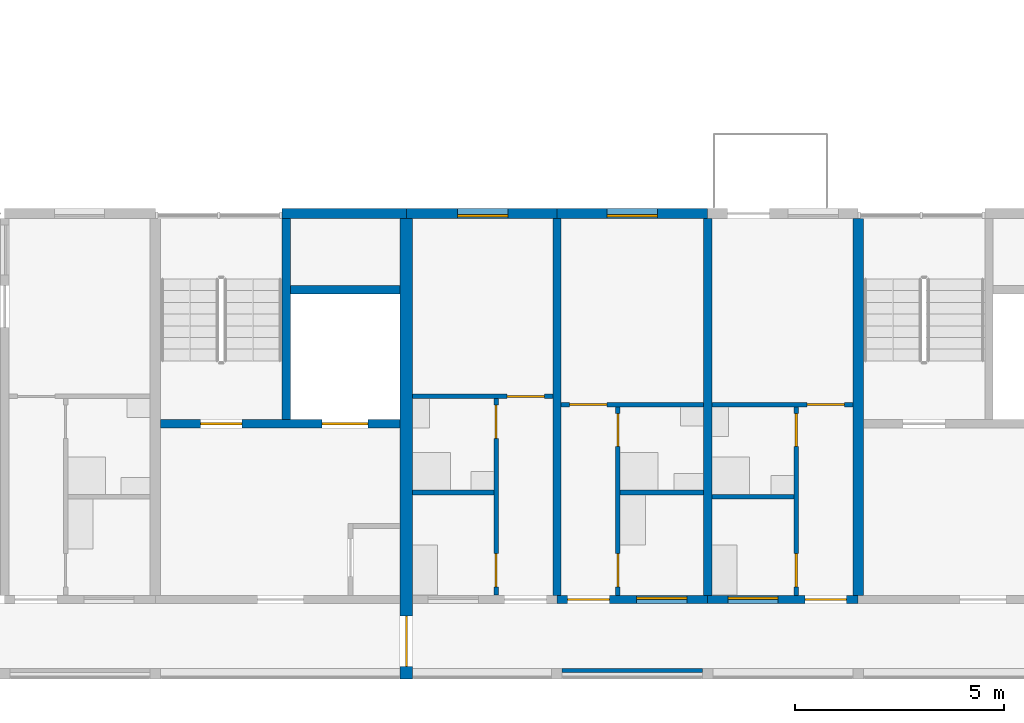
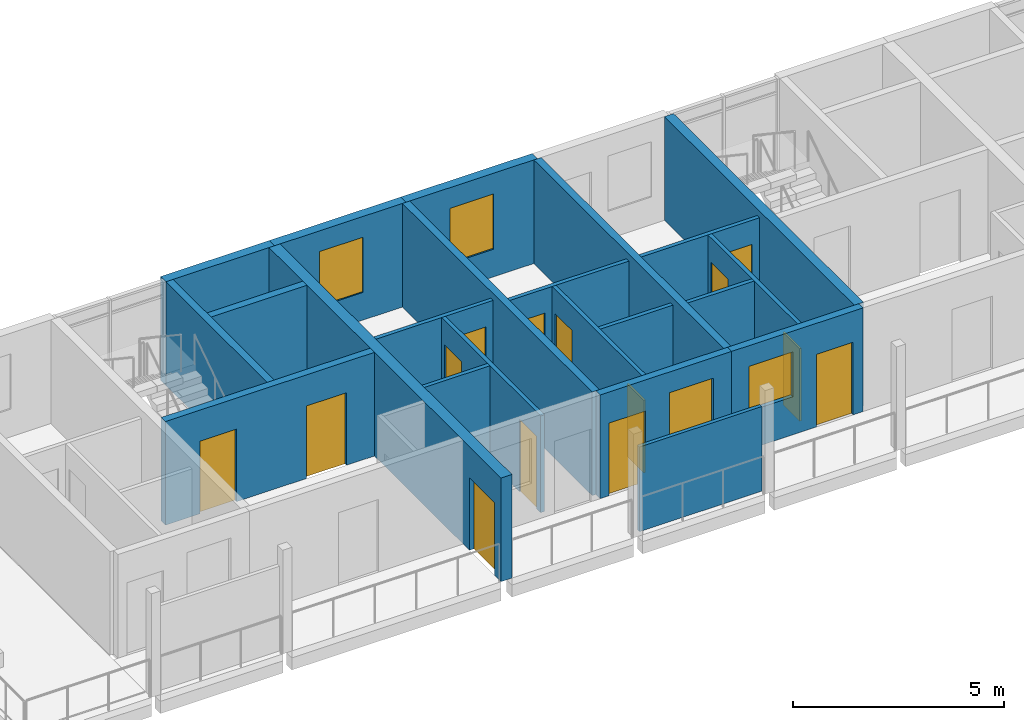
# One storey, part 28 of 64: 22 walls, 14 doors, 4 windows, 18 openings.
"""IFC4 building model written with IfcOpenShell, lengths in metres."""

import ifcopenshell
import ifcopenshell.guid

model = None  # the IFC model being written
_history = None  # IfcOwnerHistory: only IFC2X3 demands one
_inside = {}  # id of a spatial element -> (the spatial element, [elements in it])
_under = {}  # id of a project, library or spatial element -> (it, [spatial elements below it])
_declared = {}  # id of a project -> (the project, [libraries it declares])
_typed = {}  # id of a type object -> (the type object, [elements of that type])
_made_of = {}  # id of a material, layer set ... -> (it, [elements and type objects made of it])


def new_model(schema):
    """Start an empty IFC model of exactly this schema.

    Asked for "IFC4X3", IfcOpenShell would pick the latest addendum, in which some entities
    have other attributes; the version numbers below select the first issue.
    IFC2X3 requires an IfcOwnerHistory on every rooted entity: one is made here for all.
    """
    global model, _history
    if schema == "IFC4X3":
        model = ifcopenshell.file(schema_version=(4, 3, 0, 0))
    else:
        model = ifcopenshell.file(schema=schema)
    _inside.clear()
    _under.clear()
    _declared.clear()
    _typed.clear()
    _made_of.clear()
    _history = None
    if model.schema == "IFC2X3":
        org = make("IfcOrganization", Name="unknown")
        user = make(
            "IfcPersonAndOrganization",
            ThePerson=make("IfcPerson", FamilyName="unknown"),
            TheOrganization=org,
        )
        app = make(
            "IfcApplication",
            ApplicationDeveloper=org,
            Version="unknown",
            ApplicationFullName="unknown",
            ApplicationIdentifier="unknown",
        )
        _history = make(
            "IfcOwnerHistory",
            OwningUser=user,
            OwningApplication=app,
            ChangeAction="ADDED",
            CreationDate=0,
        )
    return model


def make(cls, **values):
    """One entity of the class cls with the attributes given. An attribute that is None is left unset."""
    return model.create_entity(
        cls, **{name: value for name, value in values.items() if value is not None}
    )


def rooted(cls, **values):
    """An entity with a GlobalId (a new one), such as an element, a storey or a relation."""
    return make(cls, GlobalId=ifcopenshell.guid.new(), OwnerHistory=_history, **values)


def si_unit(unit_type, name, prefix=None):
    """IfcSIUnit, for example si_unit("LENGTHUNIT", "METRE", prefix="MILLI")."""
    return make("IfcSIUnit", UnitType=unit_type, Prefix=prefix, Name=name)


def assignment(units):
    """IfcUnitAssignment: the units of a project."""
    return None if units is None else make("IfcUnitAssignment", Units=units)


def point(xyz):
    """IfcCartesianPoint."""
    return None if xyz is None else make("IfcCartesianPoint", Coordinates=xyz)


def direction(xyz):
    """IfcDirection."""
    return None if xyz is None else make("IfcDirection", DirectionRatios=xyz)


def frame(location, z_axis=None, x_axis=None):
    """IfcAxis2Placement3D, a coordinate frame: its origin and axes. An axis left out is left unset."""
    return make(
        "IfcAxis2Placement3D",
        Location=point(location),
        Axis=direction(z_axis),
        RefDirection=direction(x_axis),
    )


def frame_2d(location, x_axis=None):
    """IfcAxis2Placement2D, a coordinate frame in the plane: its origin and x axis."""
    return make(
        "IfcAxis2Placement2D", Location=point(location), RefDirection=direction(x_axis)
    )


def origin():
    """The frame at (0, 0, 0) with its axes left unset."""
    return frame((0.0, 0.0, 0.0))


def place(relative_to, where):
    """IfcLocalPlacement: puts the frame where relative to a parent placement (None: the world)."""
    return make(
        "IfcLocalPlacement", PlacementRelTo=relative_to, RelativePlacement=where
    )


def context(
    kind, dimensions, precision=None, world=None, true_north=None, identifier=None
):
    """IfcGeometricRepresentationContext, for example the 3D "Model" context."""
    return make(
        "IfcGeometricRepresentationContext",
        ContextIdentifier=identifier,
        ContextType=kind,
        CoordinateSpaceDimension=dimensions,
        Precision=precision,
        WorldCoordinateSystem=world,
        TrueNorth=true_north,
    )


def subcontext(parent, identifier, kind, view, scale=None):
    """IfcGeometricRepresentationSubContext, for example "Body" below "Model"."""
    return make(
        "IfcGeometricRepresentationSubContext",
        ContextIdentifier=identifier,
        ContextType=kind,
        ParentContext=parent,
        TargetScale=scale,
        TargetView=view,
    )


def project(units=None, contexts=None):
    """IfcProject with its units and contexts."""
    return rooted(
        "IfcProject",
        Name="project",
        RepresentationContexts=contexts,
        UnitsInContext=assignment(units),
    )


def spatial(cls, under=None, at=None, **own):
    """A site, building, storey or space (cls), placed at a placement, below another one or the project."""
    s = rooted(cls, ObjectPlacement=at, **own)
    if under is not None:
        _under.setdefault(under.id(), (under, []))[1].append(s)
    return s


def profile(cls, at=None, kind="AREA", **sizes):
    """A parametric profile (cls). Its sizes go by their IFC names, for example OverallWidth=200.0."""
    return make(cls, ProfileType=kind, Position=at, **sizes)


def rectangle(**sizes):
    """IfcRectangleProfileDef."""
    return profile("IfcRectangleProfileDef", **sizes)


def extrude(swept, where, along, depth):
    """IfcExtrudedAreaSolid: the profile swept, set in the frame where, extruded along a direction by depth."""
    return make(
        "IfcExtrudedAreaSolid",
        SweptArea=swept,
        Position=where,
        ExtrudedDirection=direction(along),
        Depth=depth,
    )


def shape(context_of_items, identifier, shape_type, items):
    """IfcShapeRepresentation: the items that make up one representation, for example the "Body"."""
    return make(
        "IfcShapeRepresentation",
        ContextOfItems=context_of_items,
        RepresentationIdentifier=identifier,
        RepresentationType=shape_type,
        Items=items,
    )


def material(Name=None, Category=None):
    """IfcMaterial."""
    return make("IfcMaterial", Name=Name, Category=Category)


def layer(
    of_material, thickness, ventilated=None, Name=None, Category=None, Priority=None
):
    """IfcMaterialLayer: one layer of a wall or slab, of a material (None: an air gap)."""
    return make(
        "IfcMaterialLayer",
        Material=of_material,
        LayerThickness=thickness,
        IsVentilated=ventilated,
        Name=Name,
        Category=Category,
        Priority=Priority,
    )


def layer_set(layers, Name=None):
    """IfcMaterialLayerSet."""
    return make("IfcMaterialLayerSet", MaterialLayers=layers, LayerSetName=Name)


def made_of(thing, what):
    """Note that an element or type object is made of a material, layer set ...; save() writes the relation."""
    if what is not None:
        _made_of.setdefault(what.id(), (what, []))[1].append(thing)
    return thing


def type_object(cls, material=None, **own):
    """A type object (cls), such as IfcWallType, which elements share."""
    return made_of(rooted(cls, **own), material)


def element(
    cls,
    number,
    at=None,
    inside=None,
    cuts=None,
    type_object=None,
    material=None,
    context=None,
    identifier="Body",
    shape_type=None,
    held_by="IfcProductDefinitionShape",
    body=None,
    shapes=None,
    **own,
):
    """One element of the class cls, such as IfcWall. Its Tag is "e" and its number.

    at: its placement. inside: the storey or other place that contains it. cuts: it is an
    opening in that element (IfcRelVoidsElement). A single representation is given by context,
    identifier, shape_type and body (its items); several are given by shapes. held_by: the class
    of the entity that holds the representations. save() writes the other relations.
    """
    e = rooted(cls, Tag="e%d" % number, ObjectPlacement=at, **own)
    if body is not None:
        shapes = [shape(context, identifier, shape_type, body)]
    if shapes is not None:
        e.Representation = make(held_by, Representations=shapes)
    if inside is not None:
        _inside.setdefault(inside.id(), (inside, []))[1].append(e)
    if cuts is not None:
        rooted(
            "IfcRelVoidsElement", RelatingBuildingElement=cuts, RelatedOpeningElement=e
        )
    if type_object is not None:
        _typed.setdefault(type_object.id(), (type_object, []))[1].append(e)
    return made_of(e, material)


def fill(opening, filler):
    """IfcRelFillsElement: the door or window that sits in an opening."""
    return rooted(
        "IfcRelFillsElement",
        RelatingOpeningElement=opening,
        RelatedBuildingElement=filler,
    )


def aggregate(whole, parts):
    """IfcRelAggregates: a whole, such as a stair, and the parts it consists of."""
    return rooted("IfcRelAggregates", RelatingObject=whole, RelatedObjects=parts)


def save(model, path):
    """Write the relations noted so far, then the file.

    IfcRelAggregates (storeys below a building ...), IfcRelContainedInSpatialStructure (elements
    in a storey), IfcRelDefinesByType, IfcRelAssociatesMaterial and IfcRelDeclares: one each for
    every whole, place, type object, material and project.
    """
    for whole, parts in _under.values():
        aggregate(whole, parts)
    for where, things in _inside.values():
        rooted(
            "IfcRelContainedInSpatialStructure",
            RelatedElements=things,
            RelatingStructure=where,
        )
    for kind, things in _typed.values():
        rooted("IfcRelDefinesByType", RelatedObjects=things, RelatingType=kind)
    for what, things in _made_of.values():
        rooted("IfcRelAssociatesMaterial", RelatedObjects=things, RelatingMaterial=what)
    for by, libraries in _declared.values():
        rooted("IfcRelDeclares", RelatingContext=by, RelatedDefinitions=libraries)
    model.write(path)


model = new_model("IFC4")

# Units and contexts
model_context = context("Model", 3, precision=1e-05, world=origin(), true_north=direction((0.0, 1.0)))
body_context = subcontext(model_context, "Body", "Model", "MODEL_VIEW")
ifc_project = project(units=[si_unit("LENGTHUNIT", "METRE"), si_unit("AREAUNIT", "SQUARE_METRE"), si_unit("VOLUMEUNIT", "CUBIC_METRE"), si_unit("PLANEANGLEUNIT", "RADIAN"), si_unit("MASSUNIT", "GRAM", prefix="KILO")], contexts=[model_context])

# Site, building, storey
site_placement = place(None, origin())
site = spatial("IfcSite", under=ifc_project, at=site_placement, CompositionType="ELEMENT")
building_placement = place(site_placement, origin())
building = spatial("IfcBuilding", under=site, at=building_placement, Name="Ridgestep Commons", CompositionType="ELEMENT")
storey_placement = place(building_placement, frame((0.0, 0.0, 33.0)))
storey = spatial("IfcBuildingStorey", under=building, at=storey_placement, Name="L11", CompositionType="ELEMENT", Elevation=33.0)

# Wall
ifc_material_1 = material(Name="Concrete C30/37", Category="concrete")
ifc_layer_1 = layer(ifc_material_1, 0.25)
ifc_layer_set_1 = layer_set([ifc_layer_1], Name="Core cross wall 250")
wall_type_1 = type_object("IfcWallType", Name="Core cross wall 250", PredefinedType="SHEAR", material=ifc_layer_set_1)
wall_1_placement = place(storey_placement, frame((90.0, 13.75, 0.0), z_axis=(0.0, 0.0, 1.0), x_axis=(0.0, 1.0, 0.0)))
element("IfcWall", 1, at=wall_1_placement, inside=storey, type_object=wall_type_1, Name="Cross wall A-11-0900", PredefinedType="SHEAR", context=body_context, shape_type="SweptSolid", body=[
    extrude(rectangle(XDim=9.0, YDim=0.25, at=frame_2d((4.5, 0.0))), origin(), (0.0, 0.0, 1.0), 3.0),
])

# Wall, openings, doors
ifc_material_2 = material(Name="Concrete C30/37", Category="concrete")
ifc_layer_2 = layer(ifc_material_2, 0.199951171875)
ifc_layer_set_2 = layer_set([ifc_layer_2], Name="Core wall 200")
wall_type_2 = type_object("IfcWallType", Name="Core wall 200", PredefinedType="SHEAR", material=ifc_layer_set_2)
wall_2_placement = place(storey_placement, frame((73.324951171875, 17.85009765625, 0.0), z_axis=(0.0, 0.0, 1.0), x_axis=(1.0, 0.0, 0.0)))
wall_2 = element("IfcWall", 2, at=wall_2_placement, inside=storey, type_object=wall_type_2, Name="Core lobby wall A4C L11", PredefinedType="SHEAR", context=body_context, shape_type="SweptSolid", body=[
    extrude(rectangle(XDim=5.72509765625, YDim=0.199951171875, at=frame_2d((2.862548828125, 0.0))), origin(), (0.0, 0.0, 1.0), 3.0),
])
opening_1_placement = place(wall_2_placement, frame((0.949951171875, 0.0, 0.0)))
opening_1 = element("IfcOpeningElement", 3, at=opening_1_placement, cuts=wall_2, Name="Opening A4C/11/2", PredefinedType="OPENING", context=body_context, shape_type="SweptSolid", body=[
    extrude(rectangle(XDim=1.0, YDim=2.10009765625, at=frame_2d((0.5, 1.050048828125))), frame((0.0, 0.10986328125, 0.0), z_axis=(0.0, -1.0, 0.0), x_axis=(1.0, 0.0, 0.0)), (0.0, 0.0, 1.0), 0.219970703125),
])
opening_2_placement = place(wall_2_placement, frame((3.862548828125, 0.0, 0.0)))
opening_2 = element("IfcOpeningElement", 4, at=opening_2_placement, cuts=wall_2, Name="Opening A4C/11/3", PredefinedType="OPENING", context=body_context, shape_type="SweptSolid", body=[
    extrude(rectangle(XDim=1.10009765625, YDim=2.10009765625, at=frame_2d((0.550048828125, 1.050048828125))), frame((0.0, 0.10986328125, 0.0), z_axis=(0.0, -1.0, 0.0), x_axis=(1.0, 0.0, 0.0)), (0.0, 0.0, 1.0), 0.219970703125),
])
ifc_material_3 = material(Name="Stainless steel", Category="steel")
door_type_1 = type_object("IfcDoorType", Name="Lift landing door 1100 x 2100 FD60", OperationType="DOUBLE_DOOR_SLIDING", PredefinedType="DOOR", material=ifc_material_3)
door_1_placement = place(opening_2_placement, origin())
door_1 = element("IfcDoor", 5, at=door_1_placement, inside=storey, type_object=door_type_1, Name="Landing door LD A4C L11", OperationType="DOUBLE_DOOR_SLIDING", OverallHeight=2.10009765625, OverallWidth=1.10009765625, PredefinedType="DOOR", context=body_context, shape_type="SweptSolid", body=[
    extrude(rectangle(XDim=1.10009765625, YDim=2.10009765625, at=frame_2d((0.550048828125, 1.050048828125))), frame((0.0, 0.02490234375, 0.0), z_axis=(0.0, -1.0, 0.0), x_axis=(1.0, 0.0, 0.0)), (0.0, 0.0, 1.0), 0.050048828125),
])
fill(opening_2, door_1)
ifc_material_4 = material(Name="Steel fire door", Category="steel")
door_type_2 = type_object("IfcDoorType", Name="Stair door 1000 x 2100 FD60", OperationType="NOTDEFINED", PredefinedType="DOOR", material=ifc_material_4)
door_2_placement = place(opening_1_placement, origin())
door_2 = element("IfcDoor", 6, at=door_2_placement, inside=storey, type_object=door_type_2, Name="Stair door A4C/11/2", OperationType="SINGLE_SWING_RIGHT", OverallHeight=2.10009765625, OverallWidth=1.0, PredefinedType="DOOR", context=body_context, shape_type="SweptSolid", body=[
    extrude(rectangle(XDim=1.0, YDim=2.10009765625, at=frame_2d((0.5, 1.050048828125))), frame((0.0, 0.02490234375, 0.0), z_axis=(0.0, -1.0, 0.0), x_axis=(1.0, 0.0, 0.0)), (0.0, 0.0, 1.0), 0.050048828125),
])
fill(opening_1, door_2)

# Walls
wall_3_placement = place(storey_placement, frame((76.324951171875, 17.949951171875, 0.0), z_axis=(0.0, 0.0, 1.0), x_axis=(0.0, 1.0, 0.0)))
element("IfcWall", 7, at=wall_3_placement, inside=storey, type_object=wall_type_2, Name="Core stair wall A4C L11", PredefinedType="SHEAR", context=body_context, shape_type="SweptSolid", body=[
    extrude(rectangle(XDim=4.800048828125, YDim=0.199951171875, at=frame_2d((2.39990234375, 0.0))), origin(), (0.0, 0.0, 1.0), 3.0),
])
wall_4_placement = place(storey_placement, frame((76.425048828125, 21.050048828125, 0.0), z_axis=(0.0, 0.0, 1.0), x_axis=(1.0, 0.0, 0.0)))
element("IfcWall", 8, at=wall_4_placement, inside=storey, type_object=wall_type_2, Name="Core duct wall A4C L11", PredefinedType="SHEAR", context=body_context, shape_type="SweptSolid", body=[
    extrude(rectangle(XDim=2.625, YDim=0.199951171875, at=frame_2d((1.3125, 0.0))), origin(), (0.0, 0.0, 1.0), 3.0),
])
ifc_material_5 = material(Name="Precast concrete C40/50", Category="concrete")
ifc_layer_3 = layer(ifc_material_5, 0.199951171875)
ifc_layer_set_3 = layer_set([ifc_layer_3], Name="Cross wall 200")
wall_type_3 = type_object("IfcWallType", Name="Cross wall 200", PredefinedType="SHEAR", material=ifc_layer_set_3)
for number, where, z_axis, x_axis, name in (
    (9, (82.800048828125, 13.75, 0.0), (0.0, 0.0, 1.0), (0.0, 1.0, 0.0), "Cross wall A-11-0828"),
    (10, (86.39990234375, 13.75, 0.0), (0.0, 0.0, 1.0), (0.0, 1.0, 0.0), "Cross wall A-11-0864"),
):
    element("IfcWall", number, at=place(storey_placement, frame(where, z_axis=z_axis, x_axis=x_axis)), inside=storey, type_object=wall_type_3, Name=name, PredefinedType="SHEAR", context=body_context, shape_type="SweptSolid", body=[
        extrude(rectangle(XDim=9.0, YDim=0.199951171875, at=frame_2d((4.5, 0.0))), origin(), (0.0, 0.0, 1.0), 3.0),
    ])

# Wall, opening, door
ifc_material_6 = material(Name="Precast concrete C40/50", Category="concrete")
ifc_layer_4 = layer(ifc_material_6, 0.300048828125)
ifc_layer_set_4 = layer_set([ifc_layer_4], Name="Division wall 300")
wall_type_4 = type_object("IfcWallType", Name="Division wall 300", PredefinedType="SHEAR", material=ifc_layer_set_4)
wall_5_placement = place(storey_placement, frame((79.199951171875, 11.75, 0.0), z_axis=(0.0, 0.0, 1.0), x_axis=(0.0, 1.0, 0.0)))
wall_5 = element("IfcWall", 11, at=wall_5_placement, inside=storey, type_object=wall_type_4, Name="Cross wall A-11-0792", PredefinedType="SHEAR", context=body_context, shape_type="SweptSolid", body=[
    extrude(rectangle(XDim=11.0, YDim=0.300048828125, at=frame_2d((5.5, 0.0))), origin(), (0.0, 0.0, 1.0), 3.0),
])
opening_3_placement = place(wall_5_placement, frame((0.300048828125, 0.0, 0.0)))
opening_3 = element("IfcOpeningElement", 12, at=opening_3_placement, cuts=wall_5, Name="Opening A/11/G0792", PredefinedType="OPENING", context=body_context, shape_type="SweptSolid", body=[
    extrude(rectangle(XDim=1.199951171875, YDim=2.10009765625, at=frame_2d((0.60009765625, 1.050048828125))), frame((0.0, 0.159912109375, 0.0), z_axis=(0.0, -1.0, 0.0), x_axis=(1.0, 0.0, 0.0)), (0.0, 0.0, 1.0), 0.320068359375),
])
ifc_material_7 = material(Name="Steel fire door", Category="steel")
door_type_3 = type_object("IfcDoorType", Name="Division fire door 1200 x 2100 EI 240", OperationType="DOUBLE_DOOR_SINGLE_SWING", PredefinedType="DOOR", material=ifc_material_7)
door_3_placement = place(opening_3_placement, origin())
door_3 = element("IfcDoor", 13, at=door_3_placement, inside=storey, type_object=door_type_3, Name="Division fire door A/11/G0792", OperationType="DOUBLE_DOOR_SINGLE_SWING", OverallHeight=2.10009765625, OverallWidth=1.199951171875, PredefinedType="DOOR", context=body_context, shape_type="SweptSolid", body=[
    extrude(rectangle(XDim=1.199951171875, YDim=2.10009765625, at=frame_2d((0.60009765625, 1.050048828125))), frame((0.0, 0.02490234375, 0.0), z_axis=(0.0, -1.0, 0.0), x_axis=(1.0, 0.0, 0.0)), (0.0, 0.0, 1.0), 0.050048828125),
])
fill(opening_3, door_3)

# Wall
ifc_material_8 = material(Name="Precast concrete C40/50", Category="concrete")
ifc_layer_5 = layer(ifc_material_8, 0.25)
ifc_layer_set_5 = layer_set([ifc_layer_5], Name="North facade panel 250")
wall_type_5 = type_object("IfcWallType", Name="North facade panel 250", PredefinedType="SOLIDWALL", material=ifc_layer_set_5)
wall_6_placement = place(storey_placement, frame((76.22509765625, 22.875, 0.0), z_axis=(0.0, 0.0, 1.0), x_axis=(1.0, 0.0, 0.0)))
element("IfcWall", 14, at=wall_6_placement, inside=storey, type_object=wall_type_5, Name="North panel A4C L11", PredefinedType="SOLIDWALL", context=body_context, shape_type="SweptSolid", body=[
    extrude(rectangle(XDim=2.974853515625, YDim=0.25, at=frame_2d((1.4873046875, 0.0))), origin(), (0.0, 0.0, 1.0), 3.0),
])

# Wall, opening, window
wall_7_placement = place(storey_placement, frame((79.199951171875, 22.875, 0.0), z_axis=(0.0, 0.0, 1.0), x_axis=(1.0, 0.0, 0.0)))
wall_7 = element("IfcWall", 15, at=wall_7_placement, inside=storey, type_object=wall_type_5, Name="North panel A5T1 L11", PredefinedType="SOLIDWALL", context=body_context, shape_type="SweptSolid", body=[
    extrude(rectangle(XDim=3.60009765625, YDim=0.25, at=frame_2d((1.800048828125, 0.0))), origin(), (0.0, 0.0, 1.0), 3.0),
])
opening_4_placement = place(wall_7_placement, frame((1.22509765625, 0.0, 0.800048828125)))
opening_4 = element("IfcOpeningElement", 16, at=opening_4_placement, cuts=wall_7, Name="Opening W11", PredefinedType="OPENING", context=body_context, shape_type="SweptSolid", body=[
    extrude(rectangle(XDim=1.199951171875, YDim=1.60009765625, at=frame_2d((0.60009765625, 0.800048828125))), frame((0.0, 0.135009765625, 0.0), z_axis=(0.0, -1.0, 0.0), x_axis=(1.0, 0.0, 0.0)), (0.0, 0.0, 1.0), 0.27001953125),
])
ifc_material_9 = material(Name="Aluminium 6063-T6 and glass", Category="aluminium")
window_type_1 = type_object("IfcWindowType", Name="Flat window 1200 x 1600", PartitioningType="SINGLE_PANEL", PredefinedType="WINDOW", material=ifc_material_9)
window_1_placement = place(opening_4_placement, origin())
window_1 = element("IfcWindow", 17, at=window_1_placement, inside=storey, type_object=window_type_1, Name="Window A5-11a 2", OverallHeight=1.60009765625, OverallWidth=1.199951171875, PartitioningType="SINGLE_PANEL", PredefinedType="WINDOW", context=body_context, shape_type="SweptSolid", body=[
    extrude(rectangle(XDim=1.199951171875, YDim=1.60009765625, at=frame_2d((0.60009765625, 0.800048828125))), frame((0.0, -0.02490234375, 0.0), z_axis=(0.0, -1.0, 0.0), x_axis=(1.0, 0.0, 0.0)), (0.0, 0.0, 1.0), 0.06005859375),
])
fill(opening_4, window_1)

wall_8_placement = place(storey_placement, frame((82.800048828125, 22.875, 0.0), z_axis=(0.0, 0.0, 1.0), x_axis=(1.0, 0.0, 0.0)))
wall_8 = element("IfcWall", 18, at=wall_8_placement, inside=storey, type_object=wall_type_5, Name="North panel A5T2 L11", PredefinedType="SOLIDWALL", context=body_context, shape_type="SweptSolid", body=[
    extrude(rectangle(XDim=3.599853515625, YDim=0.25, at=frame_2d((1.7998046875, 0.0))), origin(), (0.0, 0.0, 1.0), 3.0),
])
opening_5_placement = place(wall_8_placement, frame((1.199951171875, 0.0, 0.800048828125)))
opening_5 = element("IfcOpeningElement", 19, at=opening_5_placement, cuts=wall_8, Name="Opening W11", PredefinedType="OPENING", context=body_context, shape_type="SweptSolid", body=[
    extrude(rectangle(XDim=1.199951171875, YDim=1.60009765625, at=frame_2d((0.60009765625, 0.800048828125))), frame((0.0, 0.135009765625, 0.0), z_axis=(0.0, -1.0, 0.0), x_axis=(1.0, 0.0, 0.0)), (0.0, 0.0, 1.0), 0.27001953125),
])
window_2_placement = place(opening_5_placement, origin())
window_2 = element("IfcWindow", 20, at=window_2_placement, inside=storey, type_object=window_type_1, Name="Window A5-11b 2", OverallHeight=1.60009765625, OverallWidth=1.199951171875, PartitioningType="SINGLE_PANEL", PredefinedType="WINDOW", context=body_context, shape_type="SweptSolid", body=[
    extrude(rectangle(XDim=1.199951171875, YDim=1.60009765625, at=frame_2d((0.60009765625, 0.800048828125))), frame((0.0, -0.02490234375, 0.0), z_axis=(0.0, -1.0, 0.0), x_axis=(1.0, 0.0, 0.0)), (0.0, 0.0, 1.0), 0.06005859375),
])
fill(opening_5, window_2)

# Wall
ifc_material_10 = material(Name="Common brick 110 mm", Category="masonry")
ifc_layer_6 = layer(ifc_material_10, 0.110107421875)
ifc_layer_set_6 = layer_set([ifc_layer_6], Name="Partition 110")
wall_type_6 = type_object("IfcWallType", Name="Partition 110", PredefinedType="PARTITIONING", material=ifc_layer_set_6)
wall_9_placement = place(storey_placement, frame((79.35009765625, 16.205078125, 0.0), z_axis=(0.0, 0.0, 1.0), x_axis=(1.0, 0.0, 0.0)))
element("IfcWall", 21, at=wall_9_placement, inside=storey, type_object=wall_type_6, Name="Partition A5-11a", PredefinedType="PARTITIONING", context=body_context, shape_type="SweptSolid", body=[
    extrude(rectangle(XDim=1.93994140625, YDim=0.110107421875, at=frame_2d((0.969970703125, 0.0))), origin(), (0.0, 0.0, 1.0), 2.800048828125),
])

# Wall, openings, doors
wall_10_placement = place(storey_placement, frame((81.344970703125, 13.75, 0.0), z_axis=(0.0, 0.0, 1.0), x_axis=(0.0, 1.0, 0.0)))
wall_10 = element("IfcWall", 22, at=wall_10_placement, inside=storey, type_object=wall_type_6, Name="Partition A5-11a", PredefinedType="PARTITIONING", context=body_context, shape_type="SweptSolid", body=[
    extrude(rectangle(XDim=4.699951171875, YDim=0.110107421875, at=frame_2d((2.35009765625, 0.0))), origin(), (0.0, 0.0, 1.0), 2.800048828125),
])
opening_6_placement = place(wall_10_placement, frame((0.199951171875, 0.0, 0.0)))
opening_6 = element("IfcOpeningElement", 23, at=opening_6_placement, cuts=wall_10, Name="Opening A5-11a/2", PredefinedType="OPENING", context=body_context, shape_type="SweptSolid", body=[
    extrude(rectangle(XDim=0.800048828125, YDim=2.10009765625, at=frame_2d((0.39990234375, 1.050048828125))), frame((0.0, 0.06494140625, 0.0), z_axis=(0.0, -1.0, 0.0), x_axis=(1.0, 0.0, 0.0)), (0.0, 0.0, 1.0), 0.130126953125),
])
opening_7_placement = place(wall_10_placement, frame((3.75, 0.0, 0.0)))
opening_7 = element("IfcOpeningElement", 24, at=opening_7_placement, cuts=wall_10, Name="Opening A5-11a/3", PredefinedType="OPENING", context=body_context, shape_type="SweptSolid", body=[
    extrude(rectangle(XDim=0.800048828125, YDim=2.10009765625, at=frame_2d((0.39990234375, 1.050048828125))), frame((0.0, 0.06494140625, 0.0), z_axis=(0.0, -1.0, 0.0), x_axis=(1.0, 0.0, 0.0)), (0.0, 0.0, 1.0), 0.130126953125),
])
ifc_material_11 = material(Name="Timber door leaf", Category="wood")
door_type_4 = type_object("IfcDoorType", Name="Internal door 800 x 2100", OperationType="NOTDEFINED", PredefinedType="DOOR", material=ifc_material_11)
door_4_placement = place(opening_6_placement, origin())
door_4 = element("IfcDoor", 25, at=door_4_placement, inside=storey, type_object=door_type_4, Name="Internal door A5-11a/2", OperationType="SINGLE_SWING_LEFT", OverallHeight=2.10009765625, OverallWidth=0.800048828125, PredefinedType="DOOR", context=body_context, shape_type="SweptSolid", body=[
    extrude(rectangle(XDim=0.800048828125, YDim=2.10009765625, at=frame_2d((0.39990234375, 1.050048828125))), frame((0.0, 0.02490234375, 0.0), z_axis=(0.0, -1.0, 0.0), x_axis=(1.0, 0.0, 0.0)), (0.0, 0.0, 1.0), 0.050048828125),
])
fill(opening_6, door_4)
door_5_placement = place(opening_7_placement, origin())
door_5 = element("IfcDoor", 26, at=door_5_placement, inside=storey, type_object=door_type_4, Name="Internal door A5-11a/3", OperationType="SINGLE_SWING_RIGHT", OverallHeight=2.10009765625, OverallWidth=0.800048828125, PredefinedType="DOOR", context=body_context, shape_type="SweptSolid", body=[
    extrude(rectangle(XDim=0.800048828125, YDim=2.10009765625, at=frame_2d((0.39990234375, 1.050048828125))), frame((0.0, 0.02490234375, 0.0), z_axis=(0.0, -1.0, 0.0), x_axis=(1.0, 0.0, 0.0)), (0.0, 0.0, 1.0), 0.050048828125),
])
fill(opening_7, door_5)

# Wall, opening, door
wall_11_placement = place(storey_placement, frame((79.35009765625, 18.5048828125, 0.0), z_axis=(0.0, 0.0, 1.0), x_axis=(1.0, 0.0, 0.0)))
wall_11 = element("IfcWall", 27, at=wall_11_placement, inside=storey, type_object=wall_type_6, Name="Partition A5-11a", PredefinedType="PARTITIONING", context=body_context, shape_type="SweptSolid", body=[
    extrude(rectangle(XDim=3.349853515625, YDim=0.110107421875, at=frame_2d((1.6748046875, 0.0))), origin(), (0.0, 0.0, 1.0), 2.800048828125),
])
opening_8_placement = place(wall_11_placement, frame((2.25, 0.0, 0.0)))
opening_8 = element("IfcOpeningElement", 28, at=opening_8_placement, cuts=wall_11, Name="Opening A5-11a/4", PredefinedType="OPENING", context=body_context, shape_type="SweptSolid", body=[
    extrude(rectangle(XDim=0.89990234375, YDim=2.10009765625, at=frame_2d((0.449951171875, 1.050048828125))), frame((0.0, 0.06494140625, 0.0), z_axis=(0.0, -1.0, 0.0), x_axis=(1.0, 0.0, 0.0)), (0.0, 0.0, 1.0), 0.130126953125),
])
ifc_material_12 = material(Name="Timber door leaf", Category="wood")
door_type_5 = type_object("IfcDoorType", Name="Internal door 900 x 2100", OperationType="NOTDEFINED", PredefinedType="DOOR", material=ifc_material_12)
door_6_placement = place(opening_8_placement, origin())
door_6 = element("IfcDoor", 29, at=door_6_placement, inside=storey, type_object=door_type_5, Name="Internal door A5-11a/4", OperationType="SINGLE_SWING_RIGHT", OverallHeight=2.10009765625, OverallWidth=0.89990234375, PredefinedType="DOOR", context=body_context, shape_type="SweptSolid", body=[
    extrude(rectangle(XDim=0.89990234375, YDim=2.10009765625, at=frame_2d((0.449951171875, 1.050048828125))), frame((0.0, 0.02490234375, 0.0), z_axis=(0.0, -1.0, 0.0), x_axis=(1.0, 0.0, 0.0)), (0.0, 0.0, 1.0), 0.050048828125),
])
fill(opening_8, door_6)

# Wall, openings, doors
wall_12_placement = place(storey_placement, frame((84.2548828125, 13.75, 0.0), z_axis=(0.0, 0.0, 1.0), x_axis=(0.0, 1.0, 0.0)))
wall_12 = element("IfcWall", 30, at=wall_12_placement, inside=storey, type_object=wall_type_6, Name="Partition A5-11b", PredefinedType="PARTITIONING", context=body_context, shape_type="SweptSolid", body=[
    extrude(rectangle(XDim=4.5, YDim=0.110107421875, at=frame_2d((2.25, 0.0))), origin(), (0.0, 0.0, 1.0), 2.800048828125),
])
opening_9_placement = place(wall_12_placement, frame((0.199951171875, 0.0, 0.0)))
opening_9 = element("IfcOpeningElement", 31, at=opening_9_placement, cuts=wall_12, Name="Opening A5-11b/2", PredefinedType="OPENING", context=body_context, shape_type="SweptSolid", body=[
    extrude(rectangle(XDim=0.800048828125, YDim=2.10009765625, at=frame_2d((0.39990234375, 1.050048828125))), frame((0.0, 0.06494140625, 0.0), z_axis=(0.0, -1.0, 0.0), x_axis=(1.0, 0.0, 0.0)), (0.0, 0.0, 1.0), 0.130126953125),
])
opening_10_placement = place(wall_12_placement, frame((3.550048828125, 0.0, 0.0)))
opening_10 = element("IfcOpeningElement", 32, at=opening_10_placement, cuts=wall_12, Name="Opening A5-11b/3", PredefinedType="OPENING", context=body_context, shape_type="SweptSolid", body=[
    extrude(rectangle(XDim=0.800048828125, YDim=2.10009765625, at=frame_2d((0.39990234375, 1.050048828125))), frame((0.0, 0.06494140625, 0.0), z_axis=(0.0, -1.0, 0.0), x_axis=(1.0, 0.0, 0.0)), (0.0, 0.0, 1.0), 0.130126953125),
])
door_7_placement = place(opening_9_placement, origin())
door_7 = element("IfcDoor", 33, at=door_7_placement, inside=storey, type_object=door_type_4, Name="Internal door A5-11b/2", OperationType="SINGLE_SWING_RIGHT", OverallHeight=2.10009765625, OverallWidth=0.800048828125, PredefinedType="DOOR", context=body_context, shape_type="SweptSolid", body=[
    extrude(rectangle(XDim=0.800048828125, YDim=2.10009765625, at=frame_2d((0.39990234375, 1.050048828125))), frame((0.0, 0.02490234375, 0.0), z_axis=(0.0, -1.0, 0.0), x_axis=(1.0, 0.0, 0.0)), (0.0, 0.0, 1.0), 0.050048828125),
])
fill(opening_9, door_7)
door_8_placement = place(opening_10_placement, origin())
door_8 = element("IfcDoor", 34, at=door_8_placement, inside=storey, type_object=door_type_4, Name="Internal door A5-11b/3", OperationType="SINGLE_SWING_LEFT", OverallHeight=2.10009765625, OverallWidth=0.800048828125, PredefinedType="DOOR", context=body_context, shape_type="SweptSolid", body=[
    extrude(rectangle(XDim=0.800048828125, YDim=2.10009765625, at=frame_2d((0.39990234375, 1.050048828125))), frame((0.0, 0.02490234375, 0.0), z_axis=(0.0, -1.0, 0.0), x_axis=(1.0, 0.0, 0.0)), (0.0, 0.0, 1.0), 0.050048828125),
])
fill(opening_10, door_8)

# Wall
wall_13_placement = place(storey_placement, frame((84.31005859375, 16.205078125, 0.0), z_axis=(0.0, 0.0, 1.0), x_axis=(1.0, 0.0, 0.0)))
element("IfcWall", 35, at=wall_13_placement, inside=storey, type_object=wall_type_6, Name="Partition A5-11b", PredefinedType="PARTITIONING", context=body_context, shape_type="SweptSolid", body=[
    extrude(rectangle(XDim=1.989990234375, YDim=0.110107421875, at=frame_2d((0.9951171875, 0.0))), origin(), (0.0, 0.0, 1.0), 2.800048828125),
])

# Wall, opening, door
wall_14_placement = place(storey_placement, frame((82.89990234375, 18.304931640625, 0.0), z_axis=(0.0, 0.0, 1.0), x_axis=(1.0, 0.0, 0.0)))
wall_14 = element("IfcWall", 36, at=wall_14_placement, inside=storey, type_object=wall_type_6, Name="Partition A5-11b", PredefinedType="PARTITIONING", context=body_context, shape_type="SweptSolid", body=[
    extrude(rectangle(XDim=3.400146484375, YDim=0.110107421875, at=frame_2d((1.7001953125, 0.0))), origin(), (0.0, 0.0, 1.0), 2.800048828125),
])
opening_11_placement = place(wall_14_placement, frame((0.199951171875, 0.0, 0.0)))
opening_11 = element("IfcOpeningElement", 37, at=opening_11_placement, cuts=wall_14, Name="Opening A5-11b/4", PredefinedType="OPENING", context=body_context, shape_type="SweptSolid", body=[
    extrude(rectangle(XDim=0.89990234375, YDim=2.10009765625, at=frame_2d((0.449951171875, 1.050048828125))), frame((0.0, 0.06494140625, 0.0), z_axis=(0.0, -1.0, 0.0), x_axis=(1.0, 0.0, 0.0)), (0.0, 0.0, 1.0), 0.130126953125),
])
door_9_placement = place(opening_11_placement, origin())
door_9 = element("IfcDoor", 38, at=door_9_placement, inside=storey, type_object=door_type_5, Name="Internal door A5-11b/4", OperationType="SINGLE_SWING_LEFT", OverallHeight=2.10009765625, OverallWidth=0.89990234375, PredefinedType="DOOR", context=body_context, shape_type="SweptSolid", body=[
    extrude(rectangle(XDim=0.89990234375, YDim=2.10009765625, at=frame_2d((0.449951171875, 1.050048828125))), frame((0.0, 0.02490234375, 0.0), z_axis=(0.0, -1.0, 0.0), x_axis=(1.0, 0.0, 0.0)), (0.0, 0.0, 1.0), 0.050048828125),
])
fill(opening_11, door_9)

# Wall
wall_15_placement = place(storey_placement, frame((86.5, 16.10498046875, 0.0), z_axis=(0.0, 0.0, 1.0), x_axis=(1.0, 0.0, 0.0)))
element("IfcWall", 39, at=wall_15_placement, inside=storey, type_object=wall_type_6, Name="Partition A5-11c", PredefinedType="PARTITIONING", context=body_context, shape_type="SweptSolid", body=[
    extrude(rectangle(XDim=1.965087890625, YDim=0.110107421875, at=frame_2d((0.982421875, 0.0))), origin(), (0.0, 0.0, 1.0), 2.800048828125),
])

# Wall, openings, doors
wall_16_placement = place(storey_placement, frame((88.52001953125, 13.75, 0.0), z_axis=(0.0, 0.0, 1.0), x_axis=(0.0, 1.0, 0.0)))
wall_16 = element("IfcWall", 40, at=wall_16_placement, inside=storey, type_object=wall_type_6, Name="Partition A5-11c", PredefinedType="PARTITIONING", context=body_context, shape_type="SweptSolid", body=[
    extrude(rectangle(XDim=4.5, YDim=0.110107421875, at=frame_2d((2.25, 0.0))), origin(), (0.0, 0.0, 1.0), 2.800048828125),
])
opening_12_placement = place(wall_16_placement, frame((0.199951171875, 0.0, 0.0)))
opening_12 = element("IfcOpeningElement", 41, at=opening_12_placement, cuts=wall_16, Name="Opening A5-11c/2", PredefinedType="OPENING", context=body_context, shape_type="SweptSolid", body=[
    extrude(rectangle(XDim=0.800048828125, YDim=2.10009765625, at=frame_2d((0.39990234375, 1.050048828125))), frame((0.0, 0.06494140625, 0.0), z_axis=(0.0, -1.0, 0.0), x_axis=(1.0, 0.0, 0.0)), (0.0, 0.0, 1.0), 0.130126953125),
])
opening_13_placement = place(wall_16_placement, frame((3.550048828125, 0.0, 0.0)))
opening_13 = element("IfcOpeningElement", 42, at=opening_13_placement, cuts=wall_16, Name="Opening A5-11c/3", PredefinedType="OPENING", context=body_context, shape_type="SweptSolid", body=[
    extrude(rectangle(XDim=0.800048828125, YDim=2.10009765625, at=frame_2d((0.39990234375, 1.050048828125))), frame((0.0, 0.06494140625, 0.0), z_axis=(0.0, -1.0, 0.0), x_axis=(1.0, 0.0, 0.0)), (0.0, 0.0, 1.0), 0.130126953125),
])
door_10_placement = place(opening_12_placement, origin())
door_10 = element("IfcDoor", 43, at=door_10_placement, inside=storey, type_object=door_type_4, Name="Internal door A5-11c/2", OperationType="SINGLE_SWING_LEFT", OverallHeight=2.10009765625, OverallWidth=0.800048828125, PredefinedType="DOOR", context=body_context, shape_type="SweptSolid", body=[
    extrude(rectangle(XDim=0.800048828125, YDim=2.10009765625, at=frame_2d((0.39990234375, 1.050048828125))), frame((0.0, 0.02490234375, 0.0), z_axis=(0.0, -1.0, 0.0), x_axis=(1.0, 0.0, 0.0)), (0.0, 0.0, 1.0), 0.050048828125),
])
fill(opening_12, door_10)
door_11_placement = place(opening_13_placement, origin())
door_11 = element("IfcDoor", 44, at=door_11_placement, inside=storey, type_object=door_type_4, Name="Internal door A5-11c/3", OperationType="SINGLE_SWING_RIGHT", OverallHeight=2.10009765625, OverallWidth=0.800048828125, PredefinedType="DOOR", context=body_context, shape_type="SweptSolid", body=[
    extrude(rectangle(XDim=0.800048828125, YDim=2.10009765625, at=frame_2d((0.39990234375, 1.050048828125))), frame((0.0, 0.02490234375, 0.0), z_axis=(0.0, -1.0, 0.0), x_axis=(1.0, 0.0, 0.0)), (0.0, 0.0, 1.0), 0.050048828125),
])
fill(opening_13, door_11)

# Wall, opening, door
wall_17_placement = place(storey_placement, frame((86.5, 18.304931640625, 0.0), z_axis=(0.0, 0.0, 1.0), x_axis=(1.0, 0.0, 0.0)))
wall_17 = element("IfcWall", 45, at=wall_17_placement, inside=storey, type_object=wall_type_6, Name="Partition A5-11c", PredefinedType="PARTITIONING", context=body_context, shape_type="SweptSolid", body=[
    extrude(rectangle(XDim=3.375, YDim=0.110107421875, at=frame_2d((1.6875, 0.0))), origin(), (0.0, 0.0, 1.0), 2.800048828125),
])
opening_14_placement = place(wall_17_placement, frame((2.27490234375, 0.0, 0.0)))
opening_14 = element("IfcOpeningElement", 46, at=opening_14_placement, cuts=wall_17, Name="Opening A5-11c/4", PredefinedType="OPENING", context=body_context, shape_type="SweptSolid", body=[
    extrude(rectangle(XDim=0.89990234375, YDim=2.10009765625, at=frame_2d((0.449951171875, 1.050048828125))), frame((0.0, 0.06494140625, 0.0), z_axis=(0.0, -1.0, 0.0), x_axis=(1.0, 0.0, 0.0)), (0.0, 0.0, 1.0), 0.130126953125),
])
door_12_placement = place(opening_14_placement, origin())
door_12 = element("IfcDoor", 47, at=door_12_placement, inside=storey, type_object=door_type_5, Name="Internal door A5-11c/4", OperationType="SINGLE_SWING_LEFT", OverallHeight=2.10009765625, OverallWidth=0.89990234375, PredefinedType="DOOR", context=body_context, shape_type="SweptSolid", body=[
    extrude(rectangle(XDim=0.89990234375, YDim=2.10009765625, at=frame_2d((0.449951171875, 1.050048828125))), frame((0.0, 0.02490234375, 0.0), z_axis=(0.0, -1.0, 0.0), x_axis=(1.0, 0.0, 0.0)), (0.0, 0.0, 1.0), 0.050048828125),
])
fill(opening_14, door_12)

# Wall
ifc_material_13 = material(Name="Precast concrete C30/37", Category="concrete")
ifc_layer_7 = layer(ifc_material_13, 0.10009765625)
ifc_layer_set_7 = layer_set([ifc_layer_7], Name="Perforated gallery screen 3350 x 2450 x 100")
wall_type_7 = type_object("IfcWallType", Name="Perforated gallery screen 3350 x 2450 x 100", PredefinedType="SOLIDWALL", material=ifc_layer_set_7)
wall_18_placement = place(storey_placement, frame((82.925048828125, 11.949951171875, 0.0), z_axis=(0.0, 0.0, 1.0), x_axis=(1.0, 0.0, 0.0)))
element("IfcWall", 48, at=wall_18_placement, inside=storey, type_object=wall_type_7, Name="Gallery screen A5T2 11", PredefinedType="SOLIDWALL", context=body_context, shape_type="SweptSolid", body=[
    extrude(rectangle(XDim=3.349853515625, YDim=0.10009765625, at=frame_2d((1.6748046875, 0.0))), origin(), (0.0, 0.0, 1.0), 2.449951171875),
])

# Wall, openings, door, window
ifc_material_14 = material(Name="Precast concrete C40/50", Category="concrete")
ifc_layer_8 = layer(ifc_material_14, 0.199951171875)
ifc_layer_set_8 = layer_set([ifc_layer_8], Name="South facade panel 200")
wall_type_8 = type_object("IfcWallType", Name="South facade panel 200", PredefinedType="SOLIDWALL", material=ifc_layer_set_8)
wall_19_placement = place(storey_placement, frame((82.800048828125, 13.64990234375, 0.0), z_axis=(0.0, 0.0, 1.0), x_axis=(1.0, 0.0, 0.0)))
wall_19 = element("IfcWall", 49, at=wall_19_placement, inside=storey, type_object=wall_type_8, Name="South panel A5T2 L11", PredefinedType="SOLIDWALL", context=body_context, shape_type="SweptSolid", body=[
    extrude(rectangle(XDim=3.599853515625, YDim=0.199951171875, at=frame_2d((1.7998046875, 0.0))), origin(), (0.0, 0.0, 1.0), 3.0),
])
opening_15_placement = place(wall_19_placement, frame((1.905029296875, 0.0, 1.10009765625)))
opening_15 = element("IfcOpeningElement", 50, at=opening_15_placement, cuts=wall_19, Name="Opening W08", PredefinedType="OPENING", context=body_context, shape_type="SweptSolid", body=[
    extrude(rectangle(XDim=1.199951171875, YDim=1.300048828125, at=frame_2d((0.60009765625, 0.64990234375))), frame((0.0, 0.10986328125, 0.0), z_axis=(0.0, -1.0, 0.0), x_axis=(1.0, 0.0, 0.0)), (0.0, 0.0, 1.0), 0.219970703125),
])
opening_16_placement = place(wall_19_placement, frame((0.25, 0.0, 0.0)))
opening_16 = element("IfcOpeningElement", 51, at=opening_16_placement, cuts=wall_19, Name="Opening A5-11b/1", PredefinedType="OPENING", context=body_context, shape_type="SweptSolid", body=[
    extrude(rectangle(XDim=1.0, YDim=2.10009765625, at=frame_2d((0.5, 1.050048828125))), frame((0.0, 0.10986328125, 0.0), z_axis=(0.0, -1.0, 0.0), x_axis=(1.0, 0.0, 0.0)), (0.0, 0.0, 1.0), 0.219970703125),
])
ifc_material_15 = material(Name="Timber door leaf", Category="wood")
door_type_6 = type_object("IfcDoorType", Name="Flat entrance door 1000 x 2100 FD30S", OperationType="NOTDEFINED", PredefinedType="DOOR", material=ifc_material_15)
door_13_placement = place(opening_16_placement, origin())
door_13 = element("IfcDoor", 52, at=door_13_placement, inside=storey, type_object=door_type_6, Name="Flat entrance door A5-11b/1", OperationType="SINGLE_SWING_LEFT", OverallHeight=2.10009765625, OverallWidth=1.0, PredefinedType="DOOR", context=body_context, shape_type="SweptSolid", body=[
    extrude(rectangle(XDim=1.0, YDim=2.10009765625, at=frame_2d((0.5, 1.050048828125))), frame((0.0, 0.02490234375, 0.0), z_axis=(0.0, -1.0, 0.0), x_axis=(1.0, 0.0, 0.0)), (0.0, 0.0, 1.0), 0.050048828125),
])
fill(opening_16, door_13)
ifc_material_16 = material(Name="Aluminium 6063-T6 and glass", Category="aluminium")
window_type_2 = type_object("IfcWindowType", Name="Flat window 1200 x 1300", PartitioningType="SINGLE_PANEL", PredefinedType="WINDOW", material=ifc_material_16)
window_3_placement = place(opening_15_placement, origin())
window_3 = element("IfcWindow", 53, at=window_3_placement, inside=storey, type_object=window_type_2, Name="Window A5-11b 1", OverallHeight=1.300048828125, OverallWidth=1.199951171875, PartitioningType="SINGLE_PANEL", PredefinedType="WINDOW", context=body_context, shape_type="SweptSolid", body=[
    extrude(rectangle(XDim=1.199951171875, YDim=1.300048828125, at=frame_2d((0.60009765625, 0.64990234375))), frame((0.0, 0.06005859375, 0.0), z_axis=(0.0, -1.0, 0.0), x_axis=(1.0, 0.0, 0.0)), (0.0, 0.0, 1.0), 0.06005859375),
])
fill(opening_15, window_3)

wall_20_placement = place(storey_placement, frame((86.39990234375, 13.64990234375, 0.0), z_axis=(0.0, 0.0, 1.0), x_axis=(1.0, 0.0, 0.0)))
wall_20 = element("IfcWall", 54, at=wall_20_placement, inside=storey, type_object=wall_type_8, Name="South panel A5T3 L11", PredefinedType="SOLIDWALL", context=body_context, shape_type="SweptSolid", body=[
    extrude(rectangle(XDim=3.60009765625, YDim=0.199951171875, at=frame_2d((1.800048828125, 0.0))), origin(), (0.0, 0.0, 1.0), 3.0),
])
opening_17_placement = place(wall_20_placement, frame((0.482421875, 0.0, 1.10009765625)))
opening_17 = element("IfcOpeningElement", 55, at=opening_17_placement, cuts=wall_20, Name="Opening W08", PredefinedType="OPENING", context=body_context, shape_type="SweptSolid", body=[
    extrude(rectangle(XDim=1.199951171875, YDim=1.300048828125, at=frame_2d((0.60009765625, 0.64990234375))), frame((0.0, 0.10986328125, 0.0), z_axis=(0.0, -1.0, 0.0), x_axis=(1.0, 0.0, 0.0)), (0.0, 0.0, 1.0), 0.219970703125),
])
opening_18_placement = place(wall_20_placement, frame((2.324951171875, 0.0, 0.0)))
opening_18 = element("IfcOpeningElement", 56, at=opening_18_placement, cuts=wall_20, Name="Opening A5-11c/1", PredefinedType="OPENING", context=body_context, shape_type="SweptSolid", body=[
    extrude(rectangle(XDim=1.0, YDim=2.10009765625, at=frame_2d((0.5, 1.050048828125))), frame((0.0, 0.10986328125, 0.0), z_axis=(0.0, -1.0, 0.0), x_axis=(1.0, 0.0, 0.0)), (0.0, 0.0, 1.0), 0.219970703125),
])
door_14_placement = place(opening_18_placement, origin())
door_14 = element("IfcDoor", 57, at=door_14_placement, inside=storey, type_object=door_type_6, Name="Flat entrance door A5-11c/1", OperationType="SINGLE_SWING_RIGHT", OverallHeight=2.10009765625, OverallWidth=1.0, PredefinedType="DOOR", context=body_context, shape_type="SweptSolid", body=[
    extrude(rectangle(XDim=1.0, YDim=2.10009765625, at=frame_2d((0.5, 1.050048828125))), frame((0.0, 0.02490234375, 0.0), z_axis=(0.0, -1.0, 0.0), x_axis=(1.0, 0.0, 0.0)), (0.0, 0.0, 1.0), 0.050048828125),
])
fill(opening_18, door_14)
window_4_placement = place(opening_17_placement, origin())
window_4 = element("IfcWindow", 58, at=window_4_placement, inside=storey, type_object=window_type_2, Name="Window A5-11c 1", OverallHeight=1.300048828125, OverallWidth=1.199951171875, PartitioningType="SINGLE_PANEL", PredefinedType="WINDOW", context=body_context, shape_type="SweptSolid", body=[
    extrude(rectangle(XDim=1.199951171875, YDim=1.300048828125, at=frame_2d((0.60009765625, 0.64990234375))), frame((0.0, 0.06005859375, 0.0), z_axis=(0.0, -1.0, 0.0), x_axis=(1.0, 0.0, 0.0)), (0.0, 0.0, 1.0), 0.06005859375),
])
fill(opening_17, window_4)

save(model, "model.ifc")
